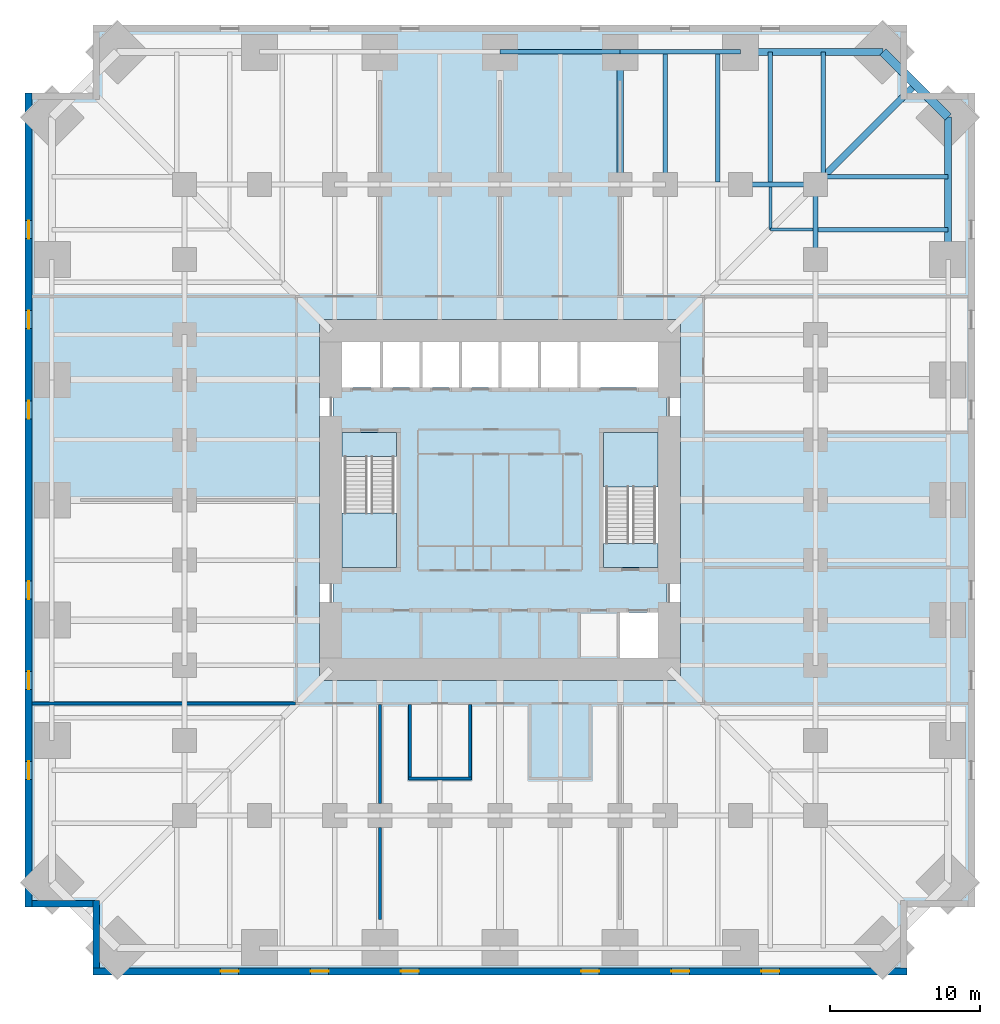
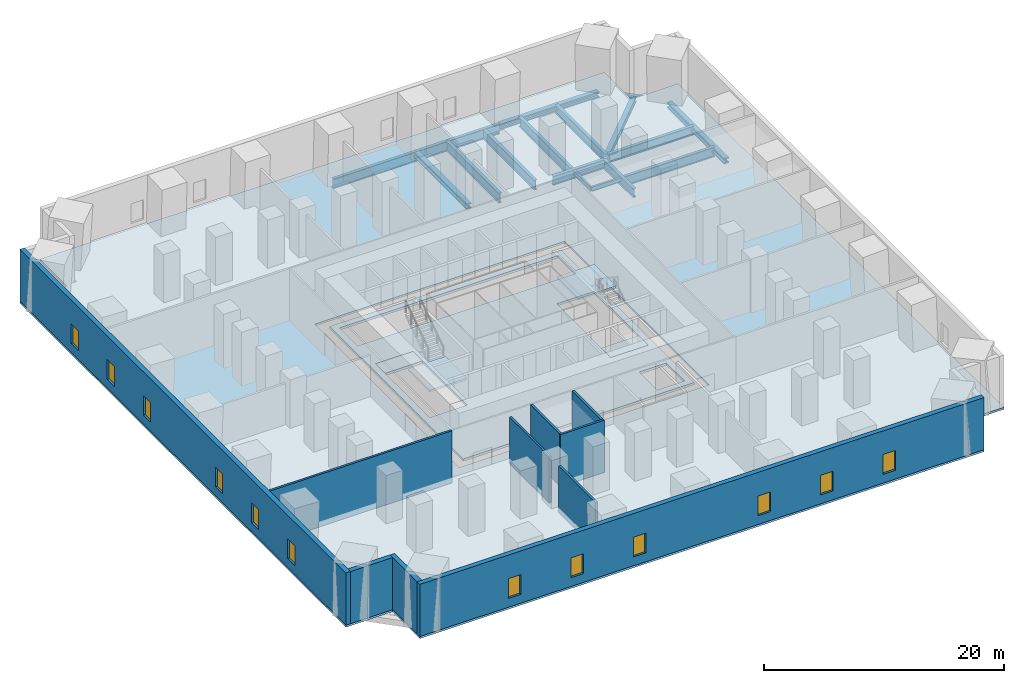
# One storey, part 3 of 8: 17 beams, 12 windows, 10 walls, 6 slabs, 12 openings, 2 elements without a shape of their own.
"""IFC4 building model written with IfcOpenShell, lengths in metres."""

from ifc_helpers import new_model, si_unit, direction, frame, frame_2d, origin, origin_2d, place, context, subcontext, project, spatial, polyline, rectangle, hollow_rectangle, i_section, outline, extrude, material, layer, layer_set, material_profile, profile_set, type_object, element, fill, aggregate, save


model = new_model("IFC4")

# Units and contexts
model_context = context("Model", 3, precision=1e-05, world=origin(), true_north=direction((0.0, 1.0)))
body_context = subcontext(model_context, "Body", "Model", "MODEL_VIEW")
ifc_project = project(units=[si_unit("LENGTHUNIT", "METRE"), si_unit("AREAUNIT", "SQUARE_METRE"), si_unit("VOLUMEUNIT", "CUBIC_METRE"), si_unit("PLANEANGLEUNIT", "RADIAN"), si_unit("MASSUNIT", "GRAM", prefix="KILO")], contexts=[model_context])

# Site, building, storey
site_placement = place(None, origin())
site = spatial("IfcSite", under=ifc_project, at=site_placement, CompositionType="ELEMENT")
building_placement = place(site_placement, origin())
building = spatial("IfcBuilding", under=site, at=building_placement, Name="Peilmerk Tower", CompositionType="ELEMENT")
storey_placement = place(building_placement, frame((0.0, 0.0, 26.5)))
storey = spatial("IfcBuildingStorey", under=building, at=storey_placement, Name="L05", CompositionType="ELEMENT", Elevation=26.5)

# Beams
ifc_material_1 = material(Name="Steel S355", Category="steel")
ifc_material_profile_1 = material_profile(ifc_material_1, i_section(OverallWidth=0.302001953125, OverallDepth=1.008056640625, WebThickness=0.02099609375, FlangeThickness=0.0400390625, at=origin_2d()), Name="HEM 1000")
ifc_profile_set_1 = profile_set([ifc_material_profile_1], Name="Steel S355")
beam_type_1 = type_object("IfcBeamType", Name="B1 HEM 1000 edge beam", PredefinedType="SPANDREL", material=ifc_profile_set_1)
for number, where, z_axis, x_axis, name in (
    (1, (16.0, 29.828125, -0.7041015625), (-1.0, 0.0, 0.0), (0.0, -1.0, 0.0), "Edge beam L05"),
    (2, (8.0, 29.828125, -0.7041015625), (-1.0, 0.0, 0.0), (0.0, -1.0, 0.0), "Edge beam L05"),
):
    element("IfcBeam", number, at=place(storey_placement, frame(where, z_axis=z_axis, x_axis=x_axis)), inside=storey, type_object=beam_type_1, Name=name, PredefinedType="SPANDREL", context=body_context, shape_type="SweptSolid", body=[
        extrude(i_section(OverallWidth=0.302001953125, OverallDepth=1.008056640625, WebThickness=0.02099609375, FlangeThickness=0.0400390625, at=origin_2d()), origin(), (0.0, 0.0, 1.0), 8.0),
    ])
ifc_material_profile_2 = material_profile(ifc_material_1, i_section(OverallWidth=0.300048828125, OverallDepth=0.989990234375, WebThickness=0.0166015625, FlangeThickness=0.031005859375, at=origin_2d()), Name="HEA 1000")
ifc_profile_set_2 = profile_set([ifc_material_profile_2], Name="Steel S355")
beam_type_2 = type_object("IfcBeamType", Name="B14 HEA 1000 floor girder", PredefinedType="BEAM", material=ifc_profile_set_2)
for number, where, z_axis, x_axis, name in (
    (3, (14.5, 21.15087890625, -0.695068359375), (0.0, 1.0, 0.0), (-1.0, 0.0, 0.0), "Floor beam L05"),
    (4, (18.0, 21.15087890625, -0.695068359375), (0.0, 1.0, 0.0), (-1.0, 0.0, 0.0), "Floor beam L05"),
    (5, (21.15087890625, 18.0, -0.695068359375), (1.0, 0.0, 0.0), (0.0, 1.0, 0.0), "Floor beam L05"),
):
    element("IfcBeam", number, at=place(storey_placement, frame(where, z_axis=z_axis, x_axis=x_axis)), inside=storey, type_object=beam_type_2, Name=name, PredefinedType="BEAM", context=body_context, shape_type="SweptSolid", body=[
        extrude(i_section(OverallWidth=0.300048828125, OverallDepth=0.989990234375, WebThickness=0.0166015625, FlangeThickness=0.031005859375, at=origin_2d()), origin(), (0.0, 0.0, 1.0), 8.67724609375),
    ])
ifc_material_2 = material(Name="Steel S460", Category="steel")
ifc_material_profile_3 = material_profile(ifc_material_2, i_section(OverallWidth=0.4541015625, OverallDepth=0.569091796875, WebThickness=0.077880859375, FlangeThickness=0.125, at=origin_2d()), Name="HD 400x1086")
ifc_profile_set_3 = profile_set([ifc_material_profile_3], Name="Steel S460")
beam_type_3 = type_object("IfcBeamType", Name="B17 HD 400x1086 edge beam", PredefinedType="SPANDREL", material=ifc_profile_set_3)
for number, where, z_axis, x_axis, name in (
    (6, (25.478271484375, 29.828125, -0.484619140625), (-1.0, 0.0, 0.0), (0.0, -1.0, 0.0), "Edge beam L05"),
    (7, (29.828125, 16.0, -0.484619140625), (0.0, 1.0, 0.0), (-1.0, 0.0, 0.0), "Edge beam L05"),
):
    element("IfcBeam", number, at=place(storey_placement, frame(where, z_axis=z_axis, x_axis=x_axis)), inside=storey, type_object=beam_type_3, Name=name, PredefinedType="SPANDREL", context=body_context, shape_type="SweptSolid", body=[
        extrude(i_section(OverallWidth=0.4541015625, OverallDepth=0.569091796875, WebThickness=0.077880859375, FlangeThickness=0.125, at=origin_2d()), origin(), (0.0, 0.0, 1.0), 9.478271484375),
    ])
ifc_material_profile_4 = material_profile(ifc_material_1, i_section(OverallWidth=0.302001953125, OverallDepth=0.909912109375, WebThickness=0.02099609375, FlangeThickness=0.0400390625, at=origin_2d()), Name="HEM 900")
ifc_profile_set_4 = profile_set([ifc_material_profile_4], Name="Steel S355")
beam_type_4 = type_object("IfcBeamType", Name="B18 HEM 900 ring girder", PredefinedType="BEAM", material=ifc_profile_set_4)
for number, where, z_axis, x_axis, name in (
    (8, (21.0, 21.0, -0.655029296875), (-1.0, 0.0, 0.0), (0.0, -1.0, 0.0), "Ring girder L05"),
    (9, (21.0, 16.0, -0.655029296875), (0.0, 1.0, 0.0), (-1.0, 0.0, 0.0), "Ring girder L05"),
):
    element("IfcBeam", number, at=place(storey_placement, frame(where, z_axis=z_axis, x_axis=x_axis)), inside=storey, type_object=beam_type_4, Name=name, PredefinedType="BEAM", context=body_context, shape_type="SweptSolid", body=[
        extrude(i_section(OverallWidth=0.302001953125, OverallDepth=0.909912109375, WebThickness=0.02099609375, FlangeThickness=0.0400390625, at=origin_2d()), origin(), (0.0, 0.0, 1.0), 5.0),
    ])
ifc_material_profile_5 = material_profile(ifc_material_2, hollow_rectangle(XDim=0.60009765625, YDim=0.60009765625, WallThickness=0.06005859375, at=origin_2d()), Name="BOX 600x600x60")
ifc_profile_set_5 = profile_set([ifc_material_profile_5], Name="Steel S460")
beam_type_5 = type_object("IfcBeamType", Name="B20 BOX 600x600x60 notch beam", PredefinedType="SPANDREL", material=ifc_profile_set_5)
beam_1_placement = place(storey_placement, frame((25.478271484375, 29.828125, -0.5), z_axis=(0.707106781187, -0.707106781187, 0.0), x_axis=(0.707106781187, 0.707106781187, 0.0)))
element("IfcBeam", 10, at=beam_1_placement, inside=storey, type_object=beam_type_5, Name="Notch beam L05", PredefinedType="SPANDREL", context=body_context, shape_type="SweptSolid", body=[
    extrude(hollow_rectangle(XDim=0.60009765625, YDim=0.60009765625, WallThickness=0.06005859375, at=origin_2d()), origin(), (0.0, 0.0, 1.0), 6.151611328125),
])
ifc_material_profile_6 = material_profile(ifc_material_1, i_section(OverallWidth=0.18994140625, OverallDepth=0.449951171875, WebThickness=0.009521484375, FlangeThickness=0.0146484375, at=origin_2d()), Name="IPE 450")
ifc_profile_set_6 = profile_set([ifc_material_profile_6], Name="Steel S355")
beam_type_6 = type_object("IfcBeamType", Name="B21 IPE 450 floor beam", PredefinedType="BEAM", material=ifc_profile_set_6)
for number, where, z_axis, x_axis, name in (
    (11, (18.0, 18.0, -0.425048828125), (0.0, 1.0, 0.0), (-1.0, 0.0, 0.0), "Floor beam L05"),
    (12, (18.0, 18.0, -0.425048828125), (1.0, 0.0, 0.0), (0.0, 1.0, 0.0), "Floor beam L05"),
):
    element("IfcBeam", number, at=place(storey_placement, frame(where, z_axis=z_axis, x_axis=x_axis)), inside=storey, type_object=beam_type_6, Name=name, PredefinedType="BEAM", context=body_context, shape_type="SweptSolid", body=[
        extrude(i_section(OverallWidth=0.18994140625, OverallDepth=0.449951171875, WebThickness=0.009521484375, FlangeThickness=0.0146484375, at=origin_2d()), origin(), (0.0, 0.0, 1.0), 2.84912109375),
    ])
ifc_material_profile_7 = material_profile(ifc_material_1, i_section(OverallWidth=0.300048828125, OverallDepth=0.889892578125, WebThickness=0.01611328125, FlangeThickness=0.030029296875, at=origin_2d()), Name="HEA 900")
ifc_profile_set_7 = profile_set([ifc_material_profile_7], Name="Steel S355")
beam_type_7 = type_object("IfcBeamType", Name="B4 HEA 900 floor beam", PredefinedType="BEAM", material=ifc_profile_set_7)
for number, where, z_axis, x_axis, name in (
    (13, (21.5, 21.5, -0.64501953125), (0.0, 1.0, 0.0), (-1.0, 0.0, 0.0), "Floor beam L05"),
    (14, (21.5, 21.5, -0.64501953125), (1.0, 0.0, 0.0), (0.0, 1.0, 0.0), "Floor beam L05"),
):
    element("IfcBeam", number, at=place(storey_placement, frame(where, z_axis=z_axis, x_axis=x_axis)), inside=storey, type_object=beam_type_7, Name=name, PredefinedType="BEAM", context=body_context, shape_type="SweptSolid", body=[
        extrude(i_section(OverallWidth=0.300048828125, OverallDepth=0.889892578125, WebThickness=0.01611328125, FlangeThickness=0.030029296875, at=origin_2d()), origin(), (0.0, 0.0, 1.0), 8.328125),
    ])
ifc_material_profile_8 = material_profile(ifc_material_1, i_section(OverallWidth=0.300048828125, OverallDepth=1.0, WebThickness=0.01904296875, FlangeThickness=0.035888671875, at=origin_2d()), Name="HEB 1000")
ifc_profile_set_8 = profile_set([ifc_material_profile_8], Name="Steel S355")
beam_type_8 = type_object("IfcBeamType", Name="B5 HEB 1000 floor girder", PredefinedType="BEAM", material=ifc_profile_set_8)
beam_2_placement = place(storey_placement, frame((11.0, 21.0, -0.699951171875), z_axis=(0.0, 1.0, 0.0), x_axis=(-1.0, 0.0, 0.0)))
element("IfcBeam", 15, at=beam_2_placement, inside=storey, type_object=beam_type_8, Name="Floor beam L05", PredefinedType="BEAM", context=body_context, shape_type="SweptSolid", body=[
    extrude(i_section(OverallWidth=0.300048828125, OverallDepth=1.0, WebThickness=0.01904296875, FlangeThickness=0.035888671875, at=origin_2d()), origin(), (0.0, 0.0, 1.0), 8.828125),
])
ifc_material_profile_9 = material_profile(ifc_material_2, i_section(OverallWidth=0.4541015625, OverallDepth=0.569091796875, WebThickness=0.077880859375, FlangeThickness=0.125, at=origin_2d()), Name="HD 400x1086")
ifc_profile_set_9 = profile_set([ifc_material_profile_9], Name="Steel S460")
beam_type_9 = type_object("IfcBeamType", Name="B9 HD 400x1086 corner girder", PredefinedType="BEAM", material=ifc_profile_set_9)
beam_3_placement = place(storey_placement, frame((8.0, 21.0, -0.484619140625), z_axis=(0.0, 1.0, 0.0), x_axis=(-1.0, 0.0, 0.0)))
element("IfcBeam", 16, at=beam_3_placement, inside=storey, type_object=beam_type_9, Name="Floor girder L05", PredefinedType="BEAM", context=body_context, shape_type="SweptSolid", body=[
    extrude(i_section(OverallWidth=0.4541015625, OverallDepth=0.569091796875, WebThickness=0.077880859375, FlangeThickness=0.125, at=origin_2d()), origin(), (0.0, 0.0, 1.0), 8.828125),
])
beam_4_placement = place(storey_placement, frame((21.0, 21.0, -0.484619140625), z_axis=(0.707106781187, 0.707106781187, 0.0), x_axis=(-0.707106781187, 0.707106781187, 0.0)))
element("IfcBeam", 17, at=beam_4_placement, inside=storey, type_object=beam_type_9, Name="Corner girder L05", PredefinedType="BEAM", context=body_context, shape_type="SweptSolid", body=[
    extrude(i_section(OverallWidth=0.4541015625, OverallDepth=0.569091796875, WebThickness=0.077880859375, FlangeThickness=0.125, at=origin_2d()), origin(), (0.0, 0.0, 1.0), 9.4091796875),
])

# Slabs
ifc_material_3 = material(Name="Concrete C55/67", Category="concrete")
ifc_layer_1 = layer(ifc_material_3, 0.25)
ifc_layer_set_1 = layer_set([ifc_layer_1], Name="Concrete C55/67")
slab_type_1 = type_object("IfcSlabType", Name="CS250 250 core floor slab", PredefinedType="FLOOR", material=ifc_layer_set_1)
slab_1_placement = place(storey_placement, frame((0.0, 0.0, -0.25)))
element("IfcSlab", 18, at=slab_1_placement, inside=storey, type_object=slab_type_1, Name="Core slab L05", PredefinedType="FLOOR", context=body_context, shape_type="SweptSolid", body=[
    extrude(outline(polyline([(-11.10009765625, 11.10009765625), (-11.10009765625, -11.10009765625), (11.10009765625, -11.10009765625), (11.10009765625, 11.10009765625), (-11.10009765625, 11.10009765625)]), holes=[polyline([(10.5, 7.5), (-10.5, 7.5), (-10.5, 10.5), (10.5, 10.5), (10.5, 7.5)]), polyline([(7.875, -10.5), (7.875, -7.5), (10.5, -7.5), (10.5, -10.5), (7.875, -10.5)]), polyline([(-10.5, 4.5), (-6.89990234375, 4.5), (-6.89990234375, -4.5), (-10.5, -4.5), (-10.5, 4.5)]), polyline([(10.5, 4.5), (10.5, -4.5), (6.89990234375, -4.5), (6.89990234375, 4.5), (10.5, 4.5)])]), origin(), (0.0, 0.0, 1.0), 0.25),
])
ifc_material_4 = material(Name="Concrete C35/45", Category="concrete")
ifc_layer_2 = layer(ifc_material_4, 0.199951171875)
ifc_layer_set_2 = layer_set([ifc_layer_2], Name="Concrete C35/45")
slab_type_2 = type_object("IfcSlabType", Name="FS200 200 composite floor slab", PredefinedType="FLOOR", material=ifc_layer_set_2)
slab_2_placement = place(storey_placement, frame((0.0, 0.0, -0.199951171875)))
element("IfcSlab", 19, at=slab_2_placement, inside=storey, type_object=slab_type_2, Name="Floor slab L05", PredefinedType="FLOOR", context=body_context, shape_type="SweptSolid", body=[
    extrude(outline(polyline([(-27.10009765625, -31.60009765625), (27.10009765625, -31.60009765625), (27.10009765625, -27.10009765625), (31.60009765625, -27.10009765625), (31.60009765625, 27.10009765625), (27.10009765625, 27.10009765625), (27.10009765625, 31.60009765625), (-27.10009765625, 31.60009765625), (-27.10009765625, 27.10009765625), (-31.60009765625, 27.10009765625), (-31.60009765625, -27.10009765625), (-27.10009765625, -27.10009765625), (-27.10009765625, -31.60009765625)]), holes=[polyline([(12.0, 12.0), (12.0, -12.0), (-12.0, -12.0), (-12.0, 12.0), (12.0, 12.0)])]), origin(), (0.0, 0.0, 1.0), 0.199951171875),
])

# Stair, slab
ifc_material_5 = material(Name="Precast concrete C45/55", Category="concrete")
stair_type_1 = type_object("IfcStairType", Name="ST1 30 risers of 183.3", PredefinedType="HALF_TURN_STAIR", material=ifc_material_5)
stair_1_placement = place(storey_placement, origin())
stair_1 = element("IfcStair", 20, at=stair_1_placement, inside=storey, type_object=stair_type_1, Name="Stair 1 L05 to L06", PredefinedType="HALF_TURN_STAIR")
ifc_layer_3 = layer(ifc_material_4, 0.199951171875)
ifc_layer_set_3 = layer_set([ifc_layer_3], Name="Concrete C35/45")
slab_type_3 = type_object("IfcSlabType", Name="SL1 200 concrete stair landing", PredefinedType="LANDING", material=ifc_layer_set_3)
slab_3_placement = place(storey_placement, frame((0.0, 0.0, 2.550048828125)))
slab_3 = element("IfcSlab", 21, at=slab_3_placement, type_object=slab_type_3, Name="ST1 landing 1", PredefinedType="LANDING", context=body_context, shape_type="SweptSolid", body=[
    extrude(outline(polyline([(-10.5, -4.5), (-6.89990234375, -4.5), (-6.89990234375, -0.8798828125), (-10.5, -0.8798828125), (-10.5, -4.5)])), origin(), (0.0, 0.0, 1.0), 0.199951171875),
])

stair_type_2 = type_object("IfcStairType", Name="ST2 30 risers of 183.3", PredefinedType="HALF_TURN_STAIR", material=ifc_material_5)
stair_2_placement = place(storey_placement, origin())
stair_2 = element("IfcStair", 22, at=stair_2_placement, inside=storey, type_object=stair_type_2, Name="Stair 2 L05 to L06", PredefinedType="HALF_TURN_STAIR")
slab_4_placement = place(storey_placement, frame((0.0, 0.0, 2.550048828125)))
slab_4 = element("IfcSlab", 23, at=slab_4_placement, type_object=slab_type_3, Name="ST2 landing 1", PredefinedType="LANDING", context=body_context, shape_type="SweptSolid", body=[
    extrude(outline(polyline([(6.89990234375, 0.8798828125), (10.5, 0.8798828125), (10.5, 4.5), (6.89990234375, 4.5), (6.89990234375, 0.8798828125)])), origin(), (0.0, 0.0, 1.0), 0.199951171875),
])

# Slab
ifc_layer_4 = layer(ifc_material_4, 0.25)
ifc_layer_set_4 = layer_set([ifc_layer_4], Name="Concrete C35/45")
slab_type_4 = type_object("IfcSlabType", Name="SL2 250 concrete floor landing", PredefinedType="LANDING", material=ifc_layer_set_4)
slab_5_placement = place(storey_placement, frame((0.0, 0.0, -0.25)))
slab_5 = element("IfcSlab", 24, at=slab_5_placement, type_object=slab_type_4, Name="ST1 floor landing", PredefinedType="LANDING", context=body_context, shape_type="SweptSolid", body=[
    extrude(outline(polyline([(-10.5, 2.89990234375), (-6.89990234375, 2.89990234375), (-6.89990234375, 4.5), (-10.5, 4.5), (-10.5, 2.89990234375)])), origin(), (0.0, 0.0, 1.0), 0.25),
])

aggregate(stair_1, [slab_3, slab_5])

slab_6_placement = place(storey_placement, frame((0.0, 0.0, -0.25)))
slab_6 = element("IfcSlab", 25, at=slab_6_placement, type_object=slab_type_4, Name="ST2 floor landing", PredefinedType="LANDING", context=body_context, shape_type="SweptSolid", body=[
    extrude(outline(polyline([(6.89990234375, -4.5), (10.5, -4.5), (10.5, -2.89990234375), (6.89990234375, -2.89990234375), (6.89990234375, -4.5)])), origin(), (0.0, 0.0, 1.0), 0.25),
])

aggregate(stair_2, [slab_4, slab_6])

# Wall, openings, windows
ifc_material_6 = material(Name="Precast concrete C45/55, board-marked finish", Category="concrete")
ifc_layer_5 = layer(ifc_material_6, 0.449951171875)
ifc_layer_set_5 = layer_set([ifc_layer_5], Name="Precast concrete C45/55, board-marked finish")
wall_type_1 = type_object("IfcWallType", Name="EW1 450 precast concrete facade wall, board-marked", PredefinedType="SOLIDWALL", material=ifc_layer_set_5)
wall_1_placement = place(storey_placement, frame((-27.10009765625, -31.375, 0.0), z_axis=(0.0, 0.0, 1.0), x_axis=(1.0, 0.0, 0.0)))
wall_1 = element("IfcWall", 26, at=wall_1_placement, inside=storey, type_object=wall_type_1, Name="Facade wall S L05", PredefinedType="SOLIDWALL", context=body_context, shape_type="SweptSolid", body=[
    extrude(rectangle(XDim=54.2001953125, YDim=0.449951171875, at=frame_2d((27.10009765625, 0.0))), origin(), (0.0, 0.0, 1.0), 5.300048828125),
])
opening_1_placement = place(wall_1_placement, frame((8.5, 0.0, 0.89990234375)))
opening_1 = element("IfcOpeningElement", 27, at=opening_1_placement, cuts=wall_1, Name="Opening W2", PredefinedType="OPENING", context=body_context, shape_type="SweptSolid", body=[
    extrude(rectangle(XDim=1.199951171875, YDim=2.0, at=frame_2d((0.60009765625, 1.0))), frame((0.0, 0.23486328125, 0.0), z_axis=(0.0, -1.0, 0.0), x_axis=(1.0, 0.0, 0.0)), (0.0, 0.0, 1.0), 0.469970703125),
])
opening_2_placement = place(wall_1_placement, frame((14.5, 0.0, 0.89990234375)))
opening_2 = element("IfcOpeningElement", 28, at=opening_2_placement, cuts=wall_1, Name="Opening W2", PredefinedType="OPENING", context=body_context, shape_type="SweptSolid", body=[
    extrude(rectangle(XDim=1.199951171875, YDim=2.0, at=frame_2d((0.60009765625, 1.0))), frame((0.0, 0.23486328125, 0.0), z_axis=(0.0, -1.0, 0.0), x_axis=(1.0, 0.0, 0.0)), (0.0, 0.0, 1.0), 0.469970703125),
])
opening_3_placement = place(wall_1_placement, frame((20.5, 0.0, 0.89990234375)))
opening_3 = element("IfcOpeningElement", 29, at=opening_3_placement, cuts=wall_1, Name="Opening W2", PredefinedType="OPENING", context=body_context, shape_type="SweptSolid", body=[
    extrude(rectangle(XDim=1.199951171875, YDim=2.0, at=frame_2d((0.60009765625, 1.0))), frame((0.0, 0.23486328125, 0.0), z_axis=(0.0, -1.0, 0.0), x_axis=(1.0, 0.0, 0.0)), (0.0, 0.0, 1.0), 0.469970703125),
])
opening_4_placement = place(wall_1_placement, frame((32.5, 0.0, 0.89990234375)))
opening_4 = element("IfcOpeningElement", 30, at=opening_4_placement, cuts=wall_1, Name="Opening W2", PredefinedType="OPENING", context=body_context, shape_type="SweptSolid", body=[
    extrude(rectangle(XDim=1.199951171875, YDim=2.0, at=frame_2d((0.60009765625, 1.0))), frame((0.0, 0.23486328125, 0.0), z_axis=(0.0, -1.0, 0.0), x_axis=(1.0, 0.0, 0.0)), (0.0, 0.0, 1.0), 0.469970703125),
])
opening_5_placement = place(wall_1_placement, frame((38.5, 0.0, 0.89990234375)))
opening_5 = element("IfcOpeningElement", 31, at=opening_5_placement, cuts=wall_1, Name="Opening W2", PredefinedType="OPENING", context=body_context, shape_type="SweptSolid", body=[
    extrude(rectangle(XDim=1.199951171875, YDim=2.0, at=frame_2d((0.60009765625, 1.0))), frame((0.0, 0.23486328125, 0.0), z_axis=(0.0, -1.0, 0.0), x_axis=(1.0, 0.0, 0.0)), (0.0, 0.0, 1.0), 0.469970703125),
])
opening_6_placement = place(wall_1_placement, frame((44.5, 0.0, 0.89990234375)))
opening_6 = element("IfcOpeningElement", 32, at=opening_6_placement, cuts=wall_1, Name="Opening W2", PredefinedType="OPENING", context=body_context, shape_type="SweptSolid", body=[
    extrude(rectangle(XDim=1.199951171875, YDim=2.0, at=frame_2d((0.60009765625, 1.0))), frame((0.0, 0.23486328125, 0.0), z_axis=(0.0, -1.0, 0.0), x_axis=(1.0, 0.0, 0.0)), (0.0, 0.0, 1.0), 0.469970703125),
])
ifc_material_7 = material(Name="Aluminium frame, clear double glazing", Category="aluminium")
window_type = type_object("IfcWindowType", Name="W2 1200x2000 data hall slot window", PartitioningType="SINGLE_PANEL", PredefinedType="WINDOW", material=ifc_material_7)
window_1_placement = place(opening_1_placement, origin())
window_1 = element("IfcWindow", 33, at=window_1_placement, inside=storey, type_object=window_type, Name="Window W2 L05", OverallHeight=2.0, OverallWidth=1.199951171875, PartitioningType="SINGLE_PANEL", PredefinedType="WINDOW", context=body_context, shape_type="SweptSolid", body=[
    extrude(rectangle(XDim=1.199951171875, YDim=2.0, at=frame_2d((0.60009765625, 1.0))), frame((0.0, 0.030029296875, 0.0), z_axis=(0.0, -1.0, 0.0), x_axis=(1.0, 0.0, 0.0)), (0.0, 0.0, 1.0), 0.06005859375),
])
fill(opening_1, window_1)
window_2_placement = place(opening_2_placement, origin())
window_2 = element("IfcWindow", 34, at=window_2_placement, inside=storey, type_object=window_type, Name="Window W2 L05", OverallHeight=2.0, OverallWidth=1.199951171875, PartitioningType="SINGLE_PANEL", PredefinedType="WINDOW", context=body_context, shape_type="SweptSolid", body=[
    extrude(rectangle(XDim=1.199951171875, YDim=2.0, at=frame_2d((0.60009765625, 1.0))), frame((0.0, 0.030029296875, 0.0), z_axis=(0.0, -1.0, 0.0), x_axis=(1.0, 0.0, 0.0)), (0.0, 0.0, 1.0), 0.06005859375),
])
fill(opening_2, window_2)
window_3_placement = place(opening_3_placement, origin())
window_3 = element("IfcWindow", 35, at=window_3_placement, inside=storey, type_object=window_type, Name="Window W2 L05", OverallHeight=2.0, OverallWidth=1.199951171875, PartitioningType="SINGLE_PANEL", PredefinedType="WINDOW", context=body_context, shape_type="SweptSolid", body=[
    extrude(rectangle(XDim=1.199951171875, YDim=2.0, at=frame_2d((0.60009765625, 1.0))), frame((0.0, 0.030029296875, 0.0), z_axis=(0.0, -1.0, 0.0), x_axis=(1.0, 0.0, 0.0)), (0.0, 0.0, 1.0), 0.06005859375),
])
fill(opening_3, window_3)
window_4_placement = place(opening_4_placement, origin())
window_4 = element("IfcWindow", 36, at=window_4_placement, inside=storey, type_object=window_type, Name="Window W2 L05", OverallHeight=2.0, OverallWidth=1.199951171875, PartitioningType="SINGLE_PANEL", PredefinedType="WINDOW", context=body_context, shape_type="SweptSolid", body=[
    extrude(rectangle(XDim=1.199951171875, YDim=2.0, at=frame_2d((0.60009765625, 1.0))), frame((0.0, 0.030029296875, 0.0), z_axis=(0.0, -1.0, 0.0), x_axis=(1.0, 0.0, 0.0)), (0.0, 0.0, 1.0), 0.06005859375),
])
fill(opening_4, window_4)
window_5_placement = place(opening_5_placement, origin())
window_5 = element("IfcWindow", 37, at=window_5_placement, inside=storey, type_object=window_type, Name="Window W2 L05", OverallHeight=2.0, OverallWidth=1.199951171875, PartitioningType="SINGLE_PANEL", PredefinedType="WINDOW", context=body_context, shape_type="SweptSolid", body=[
    extrude(rectangle(XDim=1.199951171875, YDim=2.0, at=frame_2d((0.60009765625, 1.0))), frame((0.0, 0.030029296875, 0.0), z_axis=(0.0, -1.0, 0.0), x_axis=(1.0, 0.0, 0.0)), (0.0, 0.0, 1.0), 0.06005859375),
])
fill(opening_5, window_5)
window_6_placement = place(opening_6_placement, origin())
window_6 = element("IfcWindow", 38, at=window_6_placement, inside=storey, type_object=window_type, Name="Window W2 L05", OverallHeight=2.0, OverallWidth=1.199951171875, PartitioningType="SINGLE_PANEL", PredefinedType="WINDOW", context=body_context, shape_type="SweptSolid", body=[
    extrude(rectangle(XDim=1.199951171875, YDim=2.0, at=frame_2d((0.60009765625, 1.0))), frame((0.0, 0.030029296875, 0.0), z_axis=(0.0, -1.0, 0.0), x_axis=(1.0, 0.0, 0.0)), (0.0, 0.0, 1.0), 0.06005859375),
])
fill(opening_6, window_6)

wall_2_placement = place(storey_placement, frame((-31.375, 27.10009765625, 0.0), z_axis=(0.0, 0.0, 1.0), x_axis=(0.0, -1.0, 0.0)))
wall_2 = element("IfcWall", 39, at=wall_2_placement, inside=storey, type_object=wall_type_1, Name="Facade wall W L05", PredefinedType="SOLIDWALL", context=body_context, shape_type="SweptSolid", body=[
    extrude(rectangle(XDim=54.2001953125, YDim=0.449951171875, at=frame_2d((27.10009765625, 0.0))), origin(), (0.0, 0.0, 1.0), 5.300048828125),
])
opening_7_placement = place(wall_2_placement, frame((8.5, 0.0, 0.89990234375)))
opening_7 = element("IfcOpeningElement", 40, at=opening_7_placement, cuts=wall_2, Name="Opening W2", PredefinedType="OPENING", context=body_context, shape_type="SweptSolid", body=[
    extrude(rectangle(XDim=1.199951171875, YDim=2.0, at=frame_2d((0.60009765625, 1.0))), frame((0.0, 0.23486328125, 0.0), z_axis=(0.0, -1.0, 0.0), x_axis=(1.0, 0.0, 0.0)), (0.0, 0.0, 1.0), 0.469970703125),
])
opening_8_placement = place(wall_2_placement, frame((14.5, 0.0, 0.89990234375)))
opening_8 = element("IfcOpeningElement", 41, at=opening_8_placement, cuts=wall_2, Name="Opening W2", PredefinedType="OPENING", context=body_context, shape_type="SweptSolid", body=[
    extrude(rectangle(XDim=1.199951171875, YDim=2.0, at=frame_2d((0.60009765625, 1.0))), frame((0.0, 0.23486328125, 0.0), z_axis=(0.0, -1.0, 0.0), x_axis=(1.0, 0.0, 0.0)), (0.0, 0.0, 1.0), 0.469970703125),
])
opening_9_placement = place(wall_2_placement, frame((20.5, 0.0, 0.89990234375)))
opening_9 = element("IfcOpeningElement", 42, at=opening_9_placement, cuts=wall_2, Name="Opening W2", PredefinedType="OPENING", context=body_context, shape_type="SweptSolid", body=[
    extrude(rectangle(XDim=1.199951171875, YDim=2.0, at=frame_2d((0.60009765625, 1.0))), frame((0.0, 0.23486328125, 0.0), z_axis=(0.0, -1.0, 0.0), x_axis=(1.0, 0.0, 0.0)), (0.0, 0.0, 1.0), 0.469970703125),
])
opening_10_placement = place(wall_2_placement, frame((32.5, 0.0, 0.89990234375)))
opening_10 = element("IfcOpeningElement", 43, at=opening_10_placement, cuts=wall_2, Name="Opening W2", PredefinedType="OPENING", context=body_context, shape_type="SweptSolid", body=[
    extrude(rectangle(XDim=1.199951171875, YDim=2.0, at=frame_2d((0.60009765625, 1.0))), frame((0.0, 0.23486328125, 0.0), z_axis=(0.0, -1.0, 0.0), x_axis=(1.0, 0.0, 0.0)), (0.0, 0.0, 1.0), 0.469970703125),
])
opening_11_placement = place(wall_2_placement, frame((38.5, 0.0, 0.89990234375)))
opening_11 = element("IfcOpeningElement", 44, at=opening_11_placement, cuts=wall_2, Name="Opening W2", PredefinedType="OPENING", context=body_context, shape_type="SweptSolid", body=[
    extrude(rectangle(XDim=1.199951171875, YDim=2.0, at=frame_2d((0.60009765625, 1.0))), frame((0.0, 0.23486328125, 0.0), z_axis=(0.0, -1.0, 0.0), x_axis=(1.0, 0.0, 0.0)), (0.0, 0.0, 1.0), 0.469970703125),
])
opening_12_placement = place(wall_2_placement, frame((44.5, 0.0, 0.89990234375)))
opening_12 = element("IfcOpeningElement", 45, at=opening_12_placement, cuts=wall_2, Name="Opening W2", PredefinedType="OPENING", context=body_context, shape_type="SweptSolid", body=[
    extrude(rectangle(XDim=1.199951171875, YDim=2.0, at=frame_2d((0.60009765625, 1.0))), frame((0.0, 0.23486328125, 0.0), z_axis=(0.0, -1.0, 0.0), x_axis=(1.0, 0.0, 0.0)), (0.0, 0.0, 1.0), 0.469970703125),
])
window_7_placement = place(opening_7_placement, origin())
window_7 = element("IfcWindow", 46, at=window_7_placement, inside=storey, type_object=window_type, Name="Window W2 L05", OverallHeight=2.0, OverallWidth=1.199951171875, PartitioningType="SINGLE_PANEL", PredefinedType="WINDOW", context=body_context, shape_type="SweptSolid", body=[
    extrude(rectangle(XDim=1.199951171875, YDim=2.0, at=frame_2d((0.60009765625, 1.0))), frame((0.0, 0.030029296875, 0.0), z_axis=(0.0, -1.0, 0.0), x_axis=(1.0, 0.0, 0.0)), (0.0, 0.0, 1.0), 0.06005859375),
])
fill(opening_7, window_7)
window_8_placement = place(opening_8_placement, origin())
window_8 = element("IfcWindow", 47, at=window_8_placement, inside=storey, type_object=window_type, Name="Window W2 L05", OverallHeight=2.0, OverallWidth=1.199951171875, PartitioningType="SINGLE_PANEL", PredefinedType="WINDOW", context=body_context, shape_type="SweptSolid", body=[
    extrude(rectangle(XDim=1.199951171875, YDim=2.0, at=frame_2d((0.60009765625, 1.0))), frame((0.0, 0.030029296875, 0.0), z_axis=(0.0, -1.0, 0.0), x_axis=(1.0, 0.0, 0.0)), (0.0, 0.0, 1.0), 0.06005859375),
])
fill(opening_8, window_8)
window_9_placement = place(opening_9_placement, origin())
window_9 = element("IfcWindow", 48, at=window_9_placement, inside=storey, type_object=window_type, Name="Window W2 L05", OverallHeight=2.0, OverallWidth=1.199951171875, PartitioningType="SINGLE_PANEL", PredefinedType="WINDOW", context=body_context, shape_type="SweptSolid", body=[
    extrude(rectangle(XDim=1.199951171875, YDim=2.0, at=frame_2d((0.60009765625, 1.0))), frame((0.0, 0.030029296875, 0.0), z_axis=(0.0, -1.0, 0.0), x_axis=(1.0, 0.0, 0.0)), (0.0, 0.0, 1.0), 0.06005859375),
])
fill(opening_9, window_9)
window_10_placement = place(opening_10_placement, origin())
window_10 = element("IfcWindow", 49, at=window_10_placement, inside=storey, type_object=window_type, Name="Window W2 L05", OverallHeight=2.0, OverallWidth=1.199951171875, PartitioningType="SINGLE_PANEL", PredefinedType="WINDOW", context=body_context, shape_type="SweptSolid", body=[
    extrude(rectangle(XDim=1.199951171875, YDim=2.0, at=frame_2d((0.60009765625, 1.0))), frame((0.0, 0.030029296875, 0.0), z_axis=(0.0, -1.0, 0.0), x_axis=(1.0, 0.0, 0.0)), (0.0, 0.0, 1.0), 0.06005859375),
])
fill(opening_10, window_10)
window_11_placement = place(opening_11_placement, origin())
window_11 = element("IfcWindow", 50, at=window_11_placement, inside=storey, type_object=window_type, Name="Window W2 L05", OverallHeight=2.0, OverallWidth=1.199951171875, PartitioningType="SINGLE_PANEL", PredefinedType="WINDOW", context=body_context, shape_type="SweptSolid", body=[
    extrude(rectangle(XDim=1.199951171875, YDim=2.0, at=frame_2d((0.60009765625, 1.0))), frame((0.0, 0.030029296875, 0.0), z_axis=(0.0, -1.0, 0.0), x_axis=(1.0, 0.0, 0.0)), (0.0, 0.0, 1.0), 0.06005859375),
])
fill(opening_11, window_11)
window_12_placement = place(opening_12_placement, origin())
window_12 = element("IfcWindow", 51, at=window_12_placement, inside=storey, type_object=window_type, Name="Window W2 L05", OverallHeight=2.0, OverallWidth=1.199951171875, PartitioningType="SINGLE_PANEL", PredefinedType="WINDOW", context=body_context, shape_type="SweptSolid", body=[
    extrude(rectangle(XDim=1.199951171875, YDim=2.0, at=frame_2d((0.60009765625, 1.0))), frame((0.0, 0.030029296875, 0.0), z_axis=(0.0, -1.0, 0.0), x_axis=(1.0, 0.0, 0.0)), (0.0, 0.0, 1.0), 0.06005859375),
])
fill(opening_12, window_12)

# Walls
wall_3_placement = place(storey_placement, frame((-26.875, -26.64990234375, 0.0), z_axis=(0.0, 0.0, 1.0), x_axis=(0.0, -1.0, 0.0)))
element("IfcWall", 52, at=wall_3_placement, inside=storey, type_object=wall_type_1, Name="Facade wall SWA L05", PredefinedType="SOLIDWALL", context=body_context, shape_type="SweptSolid", body=[
    extrude(rectangle(XDim=4.5, YDim=0.449951171875, at=frame_2d((2.25, 0.0))), origin(), (0.0, 0.0, 1.0), 5.300048828125),
])
wall_4_placement = place(storey_placement, frame((-27.10009765625, -26.875, 0.0), z_axis=(0.0, 0.0, 1.0), x_axis=(-1.0, 0.0, 0.0)))
element("IfcWall", 53, at=wall_4_placement, inside=storey, type_object=wall_type_1, Name="Facade wall SWB L05", PredefinedType="SOLIDWALL", context=body_context, shape_type="SweptSolid", body=[
    extrude(rectangle(XDim=4.0498046875, YDim=0.449951171875, at=frame_2d((2.02490234375, 0.0))), origin(), (0.0, 0.0, 1.0), 5.300048828125),
])
ifc_material_8 = material(Name="Calcium silicate block", Category="masonry")
ifc_layer_6 = layer(ifc_material_8, 0.199951171875)
ifc_layer_set_6 = layer_set([ifc_layer_6], Name="Calcium silicate block")
wall_type_2 = type_object("IfcWallType", Name="IW2 200 room separating wall, EI 120", PredefinedType="PARTITIONING", material=ifc_layer_set_6)
wall_5_placement = place(storey_placement, frame((-13.625, -13.550048828125, 0.0), z_axis=(0.0, 0.0, 1.0), x_axis=(-1.0, 0.0, 0.0)))
element("IfcWall", 54, at=wall_5_placement, inside=storey, type_object=wall_type_2, Name="Room separating wall SW L05", PredefinedType="PARTITIONING", context=body_context, shape_type="SweptSolid", body=[
    extrude(rectangle(XDim=17.52490234375, YDim=0.199951171875, at=frame_2d((8.762451171875, 0.0))), origin(), (0.0, 0.0, 1.0), 5.300048828125),
])
wall_6_placement = place(storey_placement, frame((-8.0, -13.625, 0.0), z_axis=(0.0, 0.0, 1.0), x_axis=(0.0, -1.0, 0.0)))
element("IfcWall", 55, at=wall_6_placement, inside=storey, type_object=wall_type_2, Name="Room separating wall S1 L05", PredefinedType="PARTITIONING", context=body_context, shape_type="SweptSolid", body=[
    extrude(rectangle(XDim=6.574951171875, YDim=0.199951171875, at=frame_2d((3.28759765625, 0.0))), origin(), (0.0, 0.0, 1.0), 4.73095703125),
])
wall_7_placement = place(storey_placement, frame((-8.0, -21.800048828125, 0.0), z_axis=(0.0, 0.0, 1.0), x_axis=(0.0, -1.0, 0.0)))
element("IfcWall", 56, at=wall_7_placement, inside=storey, type_object=wall_type_2, Name="Room separating wall S1b L05", PredefinedType="PARTITIONING", context=body_context, shape_type="SweptSolid", body=[
    extrude(rectangle(XDim=6.109375, YDim=0.199951171875, at=frame_2d((3.0546875, 0.0))), origin(), (0.0, 0.0, 1.0), 4.73095703125),
])
wall_8_placement = place(storey_placement, frame((-6.10009765625, -18.550048828125, 0.0), z_axis=(0.0, 0.0, 1.0), x_axis=(1.0, 0.0, 0.0)))
element("IfcWall", 57, at=wall_8_placement, inside=storey, type_object=wall_type_2, Name="Room separating wall Operations office L05", PredefinedType="PARTITIONING", context=body_context, shape_type="SweptSolid", body=[
    extrude(rectangle(XDim=4.2001953125, YDim=0.199951171875, at=frame_2d((2.10009765625, 0.0))), origin(), (0.0, 0.0, 1.0), 5.300048828125),
])
for number, where, z_axis, x_axis, name in (
    (58, (-6.0, -13.625, 0.0), (0.0, 0.0, 1.0), (0.0, -1.0, 0.0), "Room separating wall Operations office L05"),
    (59, (-2.0, -13.625, 0.0), (0.0, 0.0, 1.0), (0.0, -1.0, 0.0), "Room separating wall Operations office L05"),
):
    element("IfcWall", number, at=place(storey_placement, frame(where, z_axis=z_axis, x_axis=x_axis)), inside=storey, type_object=wall_type_2, Name=name, PredefinedType="PARTITIONING", context=body_context, shape_type="SweptSolid", body=[
        extrude(rectangle(XDim=4.824951171875, YDim=0.199951171875, at=frame_2d((2.41259765625, 0.0))), origin(), (0.0, 0.0, 1.0), 5.300048828125),
    ])

save(model, "model.ifc")
